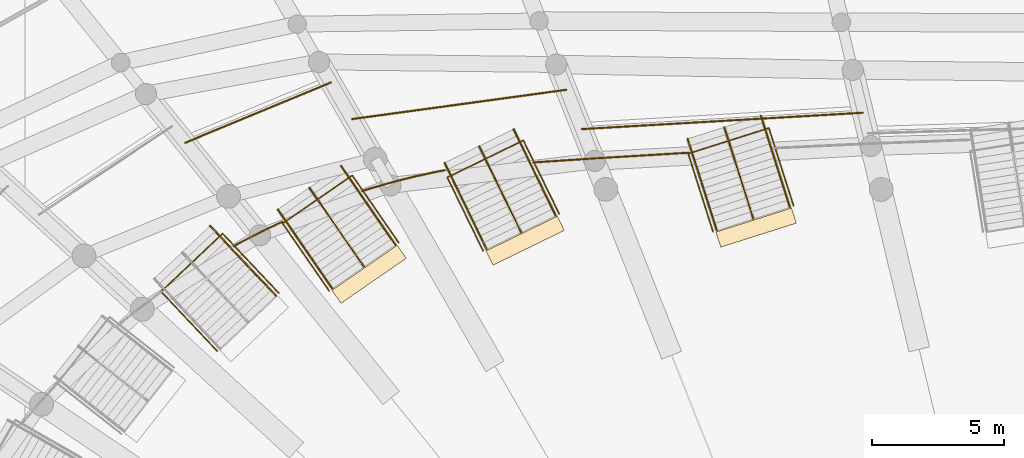
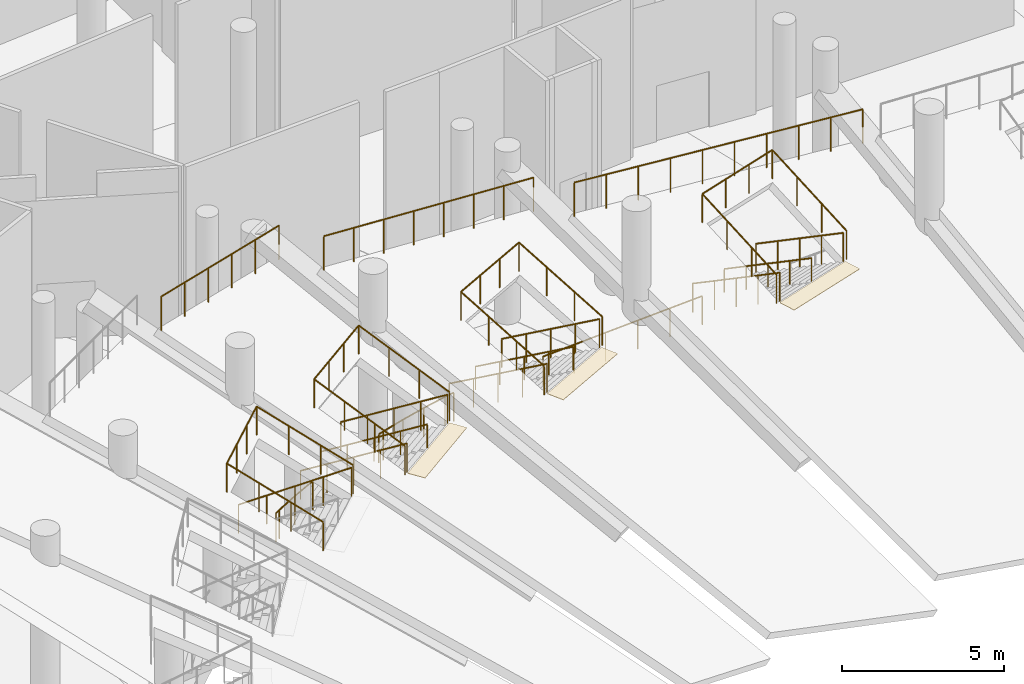
# One storey, part 230 of 255: 20 railings, 3 coverings.
"""IFC4 building model written with IfcOpenShell, lengths in metres."""

from ifc_helpers import new_model, si_unit, direction, frame, origin, origin_2d, place, context, subcontext, project, spatial, rectangle, circle, extrude, material, layer, layer_set, type_object, element, save


model = new_model("IFC4")

# Units and contexts
model_context = context("Model", 3, precision=1e-05, world=origin(), true_north=direction((0.0, 1.0)))
body_context = subcontext(model_context, "Body", "Model", "MODEL_VIEW")
ifc_project = project(units=[si_unit("LENGTHUNIT", "METRE"), si_unit("AREAUNIT", "SQUARE_METRE"), si_unit("VOLUMEUNIT", "CUBIC_METRE"), si_unit("PLANEANGLEUNIT", "RADIAN"), si_unit("MASSUNIT", "GRAM", prefix="KILO")], contexts=[model_context])

# Site, building, storey
site_placement = place(None, origin())
site = spatial("IfcSite", under=ifc_project, at=site_placement, CompositionType="ELEMENT")
building_placement = place(site_placement, origin())
building = spatial("IfcBuilding", under=site, at=building_placement, Name="Meseta Stadium", CompositionType="ELEMENT")
storey_placement = place(building_placement, origin())
storey = spatial("IfcBuildingStorey", under=building, at=storey_placement, Name="L00", CompositionType="ELEMENT", Elevation=0.0)

# Railings
ifc_material_1 = material(Name="Steel S355", Category="steel")
railing_type_1 = type_object("IfcRailingType", Name="Plate edge guard 1100", PredefinedType="GUARDRAIL", material=ifc_material_1)
railing_1_placement = place(storey_placement, frame((-22.89892578125, 72.3994140625, 0.0)))
element("IfcRailing", 1, at=railing_1_placement, inside=storey, type_object=railing_type_1, Name="L00 inner edge guard 22", PredefinedType="GUARDRAIL", context=body_context, shape_type="SweptSolid", body=[
    extrude(circle(Radius=0.02490234375, at=origin_2d()), frame((0.0, 0.0, 1.0751953125), z_axis=(-0.998168496631, -0.060495060402, 0.0), x_axis=(0.060495060402, -0.998168496631, 0.0)), (0.0, 0.0, 1.0), 3.57568359375),
    extrude(circle(Radius=0.02490234375, at=origin_2d()), frame((-3.569091796875, -0.21630859375, 1.0751953125), z_axis=(-0.99784849256, -0.065562076657, 0.0), x_axis=(0.065562076657, -0.99784849256, 0.0)), (0.0, 0.0, 1.0), 2.31982421875),
    extrude(circle(Radius=0.02001953125, at=origin_2d()), origin(), (0.0, 0.0, 1.0), 1.050048828125),
    extrude(circle(Radius=0.02001953125, at=origin_2d()), frame((-1.189697265625, -0.072021484375, 0.0)), (0.0, 0.0, 1.0), 1.050048828125),
    extrude(circle(Radius=0.02001953125, at=origin_2d()), frame((-2.37939453125, -0.144287109375, 0.0)), (0.0, 0.0, 1.0), 1.050048828125),
    extrude(circle(Radius=0.02001953125, at=origin_2d()), frame((-3.569091796875, -0.21630859375, 0.0)), (0.0, 0.0, 1.0), 1.050048828125),
    extrude(circle(Radius=0.02001953125, at=origin_2d()), frame((-4.7265625, -0.29248046875, 0.0)), (0.0, 0.0, 1.0), 1.050048828125),
    extrude(circle(Radius=0.02001953125, at=origin_2d()), frame((-5.884033203125, -0.368408203125, 0.0)), (0.0, 0.0, 1.0), 1.050048828125),
])
railing_2_placement = place(storey_placement, frame((-32.13232421875, 71.73681640625, 0.0)))
element("IfcRailing", 2, at=railing_2_placement, inside=storey, type_object=railing_type_1, Name="L00 inner edge guard 23", PredefinedType="GUARDRAIL", context=body_context, shape_type="SweptSolid", body=[
    extrude(circle(Radius=0.02490234375, at=origin_2d()), frame((0.0, 0.0, 1.0751953125), z_axis=(-0.982708770154, -0.185157967859, 0.0), x_axis=(0.185157967859, -0.982708770154, 0.0)), (0.0, 0.0, 1.0), 0.35595703125),
    extrude(circle(Radius=0.02490234375, at=origin_2d()), frame((-0.349853515625, -0.06591796875, 1.0751953125), z_axis=(-0.976225779897, -0.216756145621, 0.0), x_axis=(0.216756145621, -0.976225779897, 0.0)), (0.0, 0.0, 1.0), 0.889892578125),
    extrude(circle(Radius=0.02490234375, at=origin_2d()), frame((-1.218505859375, -0.2587890625, 1.0751953125), z_axis=(-0.968604525516, -0.248606663526, 0.0), x_axis=(0.248606663526, -0.968604525516, 0.0)), (0.0, 0.0, 1.0), 0.888671875),
    extrude(circle(Radius=0.02490234375, at=origin_2d()), frame((-2.079345703125, -0.479736328125, 1.0751953125), z_axis=(-0.960046214421, -0.279841501882, 0.0), x_axis=(0.279841501882, -0.960046214421, 0.0)), (0.0, 0.0, 1.0), 0.88720703125),
    extrude(circle(Radius=0.02490234375, at=origin_2d()), frame((-2.93115234375, -0.72802734375, 1.0751953125), z_axis=(-0.950488430053, -0.31075994648, 0.0), x_axis=(0.31075994648, -0.950488430053, 0.0)), (0.0, 0.0, 1.0), 0.201171875),
    extrude(circle(Radius=0.02001953125, at=origin_2d()), origin(), (0.0, 0.0, 1.0), 1.050048828125),
    extrude(circle(Radius=0.02001953125, at=origin_2d()), frame((-0.349853515625, -0.06591796875, 0.0)), (0.0, 0.0, 1.0), 1.050048828125),
    extrude(circle(Radius=0.02001953125, at=origin_2d()), frame((-1.218505859375, -0.2587890625, 0.0)), (0.0, 0.0, 1.0), 1.050048828125),
    extrude(circle(Radius=0.02001953125, at=origin_2d()), frame((-2.079345703125, -0.479736328125, 0.0)), (0.0, 0.0, 1.0), 1.050048828125),
    extrude(circle(Radius=0.02001953125, at=origin_2d()), frame((-2.93115234375, -0.72802734375, 0.0)), (0.0, 0.0, 1.0), 1.050048828125),
    extrude(circle(Radius=0.02001953125, at=origin_2d()), frame((-3.122314453125, -0.79052734375, 0.0)), (0.0, 0.0, 1.0), 1.050048828125),
])
railing_3_placement = place(storey_placement, frame((-38.2705078125, 69.7880859375, 0.0)))
element("IfcRailing", 3, at=railing_3_placement, inside=storey, type_object=railing_type_1, Name="L00 inner edge guard 24", PredefinedType="GUARDRAIL", context=body_context, shape_type="SweptSolid", body=[
    extrude(circle(Radius=0.02490234375, at=origin_2d()), frame((0.0, 0.0, 1.0751953125), z_axis=(-0.90338039609, -0.428840133337, 0.0), x_axis=(0.428840133337, -0.90338039609, 0.0)), (0.0, 0.0, 1.0), 0.98828125),
    extrude(circle(Radius=0.02490234375, at=origin_2d()), frame((-0.892822265625, -0.423828125, 1.0751953125), z_axis=(-0.887171475651, -0.461439890768, 0.0), x_axis=(0.461439890768, -0.887171475651, 0.0)), (0.0, 0.0, 1.0), 0.882080078125),
    extrude(circle(Radius=0.02490234375, at=origin_2d()), frame((-1.67529296875, -0.830810546875, 1.0751953125), z_axis=(-0.872066441359, -0.489387496628, 0.0), x_axis=(0.489387496628, -0.872066441359, 0.0)), (0.0, 0.0, 1.0), 0.198974609375),
    extrude(circle(Radius=0.02001953125, at=origin_2d()), origin(), (0.0, 0.0, 1.0), 1.050048828125),
    extrude(circle(Radius=0.02001953125, at=origin_2d()), frame((-0.892822265625, -0.423828125, 0.0)), (0.0, 0.0, 1.0), 1.050048828125),
    extrude(circle(Radius=0.02001953125, at=origin_2d()), frame((-1.67529296875, -0.830810546875, 0.0)), (0.0, 0.0, 1.0), 1.050048828125),
    extrude(circle(Radius=0.02001953125, at=origin_2d()), frame((-1.848876953125, -0.92822265625, 0.0)), (0.0, 0.0, 1.0), 1.050048828125),
])
ifc_material_2 = material(Name="Steel S355", Category="steel")
railing_type_2 = type_object("IfcRailingType", Name="Stand rear guard 1300", PredefinedType="GUARDRAIL", material=ifc_material_2)
railing_4_placement = place(storey_placement, frame((-16.312255859375, 73.9111328125, 3.6044921875)))
element("IfcRailing", 4, at=railing_4_placement, inside=storey, type_object=railing_type_2, Name="Stand lower tier rear guard bay 21", PredefinedType="GUARDRAIL", context=body_context, shape_type="SweptSolid", body=[
    extrude(circle(Radius=0.02490234375, at=origin_2d()), frame((0.0, 0.0, 1.27490234375), z_axis=(-0.990502676823, -0.05772016931, 0.124791142557), x_axis=(0.058174920753, -0.998306405166, 0.0)), (0.0, 0.0, 1.0), 10.730712890625),
    extrude(circle(Radius=0.02001953125, at=origin_2d()), origin(), (0.0, 0.0, 1.0), 1.25),
    extrude(circle(Radius=0.02001953125, at=origin_2d()), frame((-1.180908203125, -0.06884765625, 0.148681640625)), (0.0, 0.0, 1.0), 1.25),
    extrude(circle(Radius=0.02001953125, at=origin_2d()), frame((-2.362060546875, -0.1376953125, 0.297607421875)), (0.0, 0.0, 1.0), 1.25),
    extrude(circle(Radius=0.02001953125, at=origin_2d()), frame((-3.54296875, -0.20654296875, 0.4462890625)), (0.0, 0.0, 1.0), 1.25),
    extrude(circle(Radius=0.02001953125, at=origin_2d()), frame((-4.723876953125, -0.275390625, 0.59521484375)), (0.0, 0.0, 1.0), 1.25),
    extrude(circle(Radius=0.02001953125, at=origin_2d()), frame((-5.905029296875, -0.343994140625, 0.743896484375)), (0.0, 0.0, 1.0), 1.25),
    extrude(circle(Radius=0.02001953125, at=origin_2d()), frame((-7.0859375, -0.412841796875, 0.892822265625)), (0.0, 0.0, 1.0), 1.25),
    extrude(circle(Radius=0.02001953125, at=origin_2d()), frame((-8.266845703125, -0.481689453125, 1.04150390625)), (0.0, 0.0, 1.0), 1.25),
    extrude(circle(Radius=0.02001953125, at=origin_2d()), frame((-9.447998046875, -0.550537109375, 1.1904296875)), (0.0, 0.0, 1.0), 1.25),
    extrude(circle(Radius=0.02001953125, at=origin_2d()), frame((-10.62890625, -0.619384765625, 1.339111328125)), (0.0, 0.0, 1.0), 1.25),
])
railing_5_placement = place(storey_placement, frame((-27.53125, 74.77880859375, 4.43603515625)))
element("IfcRailing", 5, at=railing_5_placement, inside=storey, type_object=railing_type_2, Name="Stand lower tier rear guard bay 22", PredefinedType="GUARDRAIL", context=body_context, shape_type="SweptSolid", body=[
    extrude(circle(Radius=0.02490234375, at=origin_2d()), frame((0.0, 0.0, 1.27490234375), z_axis=(-0.978469998435, -0.133688963912, 0.157237791549), x_axis=(0.135372898361, -0.99079472061, 0.0)), (0.0, 0.0, 1.0), 8.28369140625),
    extrude(circle(Radius=0.02001953125, at=origin_2d()), origin(), (0.0, 0.0, 1.0), 1.25),
    extrude(circle(Radius=0.02001953125, at=origin_2d()), frame((-1.157958984375, -0.158203125, 0.18603515625)), (0.0, 0.0, 1.0), 1.25),
    extrude(circle(Radius=0.02001953125, at=origin_2d()), frame((-2.315673828125, -0.31640625, 0.3720703125)), (0.0, 0.0, 1.0), 1.25),
    extrude(circle(Radius=0.02001953125, at=origin_2d()), frame((-3.4736328125, -0.474609375, 0.55810546875)), (0.0, 0.0, 1.0), 1.25),
    extrude(circle(Radius=0.02001953125, at=origin_2d()), frame((-4.631591796875, -0.6328125, 0.744384765625)), (0.0, 0.0, 1.0), 1.25),
    extrude(circle(Radius=0.02001953125, at=origin_2d()), frame((-5.78955078125, -0.791015625, 0.930419921875)), (0.0, 0.0, 1.0), 1.25),
    extrude(circle(Radius=0.02001953125, at=origin_2d()), frame((-6.947265625, -0.94921875, 1.116455078125)), (0.0, 0.0, 1.0), 1.25),
    extrude(circle(Radius=0.02001953125, at=origin_2d()), frame((-8.105224609375, -1.107421875, 1.302490234375)), (0.0, 0.0, 1.0), 1.25),
])
railing_6_placement = place(storey_placement, frame((-36.437255859375, 75.056640625, 5.5791015625)))
element("IfcRailing", 6, at=railing_6_placement, inside=storey, type_object=railing_type_2, Name="Stand lower tier rear guard bay 23", PredefinedType="GUARDRAIL", context=body_context, shape_type="SweptSolid", body=[
    extrude(circle(Radius=0.02490234375, at=origin_2d()), frame((0.0, 0.0, 1.27490234375), z_axis=(-0.918705190478, -0.380326600198, 0.106453981467), x_axis=(0.382500107236, -0.923955446958, 0.0)), (0.0, 0.0, 1.0), 5.994873046875),
    extrude(circle(Radius=0.02001953125, at=origin_2d()), origin(), (0.0, 0.0, 1.0), 1.25),
    extrude(circle(Radius=0.02001953125, at=origin_2d()), frame((-1.1015625, -0.4560546875, 0.127685546875)), (0.0, 0.0, 1.0), 1.25),
    extrude(circle(Radius=0.02001953125, at=origin_2d()), frame((-2.203125, -0.912109375, 0.25537109375)), (0.0, 0.0, 1.0), 1.25),
    extrude(circle(Radius=0.02001953125, at=origin_2d()), frame((-3.304443359375, -1.367919921875, 0.3828125)), (0.0, 0.0, 1.0), 1.25),
    extrude(circle(Radius=0.02001953125, at=origin_2d()), frame((-4.406005859375, -1.823974609375, 0.510498046875)), (0.0, 0.0, 1.0), 1.25),
    extrude(circle(Radius=0.02001953125, at=origin_2d()), frame((-5.507568359375, -2.280029296875, 0.63818359375)), (0.0, 0.0, 1.0), 1.25),
])

# Coverings
ifc_material_3 = material(Name="Stone paving", Category="masonry")
ifc_layer = layer(ifc_material_3, 0.02001953125)
ifc_layer_set = layer_set([ifc_layer], Name="Vomitory exit threshold plate 20")
covering_type = type_object("IfcCoveringType", Name="Vomitory exit threshold plate 20", PredefinedType="FLOORING", material=ifc_layer_set)
for number, where, z_axis, x_axis, name in (
    (7, (-20.3525390625, 69.566650390625, 2.270263671875), (0.0, 0.0, 1.0), (0.302579501013, -0.953124150133, 0.0), "Vomitory V-lower-21 exit threshold"),
    (8, (-29.08740234375, 69.0712890625, 2.32080078125), (0.0, 0.0, 1.0), (0.437966379942, -0.898991351483, 0.0), "Vomitory V-lower-22 exit threshold"),
    (9, (-34.9912109375, 67.7998046875, 2.26806640625), (0.0, 0.0, 1.0), (0.567899772853, -0.82309771473, 0.0), "Vomitory V-lower-23 exit threshold"),
):
    element("IfcCovering", number, at=place(storey_placement, frame(where, z_axis=z_axis, x_axis=x_axis)), inside=storey, type_object=covering_type, Name=name, PredefinedType="FLOORING", context=body_context, shape_type="SweptSolid", body=[
        extrude(rectangle(XDim=0.60009765625, YDim=3.0, at=origin_2d()), origin(), (0.0, 0.0, 1.0), 0.02001953125),
    ])

# Railings
ifc_material_4 = material(Name="Steel S355", Category="steel")
railing_type_3 = type_object("IfcRailingType", Name="Vomitory slot guard 1100", PredefinedType="GUARDRAIL", material=ifc_material_4)
railing_7_placement = place(storey_placement, frame((-21.980712890625, 69.40771484375, 2.290283203125)))
element("IfcRailing", 10, at=railing_7_placement, inside=storey, type_object=railing_type_3, Name="Vomitory V-lower-21 slot guard", PredefinedType="GUARDRAIL", context=body_context, shape_type="SweptSolid", body=[
    extrude(circle(Radius=0.02490234375, at=origin_2d()), frame((0.0, 0.0, 1.0751953125), z_axis=(-0.269543229433, 0.84911028262, 0.454266634716), x_axis=(-0.953129314029, -0.302563234281, 0.0)), (0.0, 0.0, 1.0), 3.47998046875),
    extrude(circle(Radius=0.02490234375, at=origin_2d()), frame((-0.93798828125, 2.954833984375, 2.65576171875), z_axis=(0.953117980059, 0.302598936032, 0.0), x_axis=(-0.302598936032, 0.953117980059, 0.0)), (0.0, 0.0, 1.0), 3.19970703125),
    extrude(circle(Radius=0.02490234375, at=origin_2d()), frame((2.11181640625, 3.923095703125, 2.65576171875), z_axis=(0.269559287174, -0.849090706242, -0.454293697151), x_axis=(0.95312210395, 0.302585946404, 0.0)), (0.0, 0.0, 1.0), 3.479736328125),
    extrude(circle(Radius=0.02001953125, at=origin_2d()), origin(), (0.0, 0.0, 1.0), 1.050048828125),
    extrude(circle(Radius=0.02001953125, at=origin_2d()), frame((-0.312744140625, 0.98486328125, 0.52685546875)), (0.0, 0.0, 1.0), 1.050048828125),
    extrude(circle(Radius=0.02001953125, at=origin_2d()), frame((-0.625244140625, 1.969970703125, 1.053955078125)), (0.0, 0.0, 1.0), 1.050048828125),
    extrude(circle(Radius=0.02001953125, at=origin_2d()), frame((-0.93798828125, 2.954833984375, 1.580810546875)), (0.0, 0.0, 1.0), 1.050048828125),
    extrude(circle(Radius=0.02001953125, at=origin_2d()), frame((0.07861328125, 3.277587890625, 1.580810546875)), (0.0, 0.0, 1.0), 1.050048828125),
    extrude(circle(Radius=0.02001953125, at=origin_2d()), frame((1.09521484375, 3.600341796875, 1.580810546875)), (0.0, 0.0, 1.0), 1.050048828125),
    extrude(circle(Radius=0.02001953125, at=origin_2d()), frame((2.11181640625, 3.923095703125, 1.580810546875)), (0.0, 0.0, 1.0), 1.050048828125),
    extrude(circle(Radius=0.02001953125, at=origin_2d()), frame((2.424560546875, 2.938232421875, 1.053955078125)), (0.0, 0.0, 1.0), 1.050048828125),
    extrude(circle(Radius=0.02001953125, at=origin_2d()), frame((2.737060546875, 1.953369140625, 0.52685546875)), (0.0, 0.0, 1.0), 1.050048828125),
    extrude(circle(Radius=0.02001953125, at=origin_2d()), frame((3.0498046875, 0.968505859375, 0.0)), (0.0, 0.0, 1.0), 1.050048828125),
])
railing_8_placement = place(storey_placement, frame((-30.67529296875, 68.67724609375, 2.3408203125)))
element("IfcRailing", 11, at=railing_8_placement, inside=storey, type_object=railing_type_3, Name="Vomitory V-lower-22 slot guard", PredefinedType="GUARDRAIL", context=body_context, shape_type="SweptSolid", body=[
    extrude(circle(Radius=0.02490234375, at=origin_2d()), frame((0.0, 0.0, 1.0751953125), z_axis=(-0.390159093571, 0.800875032028, 0.454285224037), x_axis=(-0.898994639312, -0.437959631118, 0.0)), (0.0, 0.0, 1.0), 3.479736328125),
    extrude(circle(Radius=0.02490234375, at=origin_2d()), frame((-1.357666015625, 2.786865234375, 2.65576171875), z_axis=(0.899017594614, 0.437912507899, 0.0), x_axis=(-0.437912507899, 0.899017594614, 0.0)), (0.0, 0.0, 1.0), 3.2001953125),
    extrude(circle(Radius=0.02490234375, at=origin_2d()), frame((1.519287109375, 4.188232421875, 2.65576171875), z_axis=(0.390159093571, -0.800875032028, -0.454285224037), x_axis=(0.898994639312, 0.437959631118, 0.0)), (0.0, 0.0, 1.0), 3.479736328125),
    extrude(circle(Radius=0.02001953125, at=origin_2d()), origin(), (0.0, 0.0, 1.0), 1.050048828125),
    extrude(circle(Radius=0.02001953125, at=origin_2d()), frame((-0.45263671875, 0.928955078125, 0.52685546875)), (0.0, 0.0, 1.0), 1.050048828125),
    extrude(circle(Radius=0.02001953125, at=origin_2d()), frame((-0.905029296875, 1.85791015625, 1.053955078125)), (0.0, 0.0, 1.0), 1.050048828125),
    extrude(circle(Radius=0.02001953125, at=origin_2d()), frame((-1.357666015625, 2.786865234375, 1.580810546875)), (0.0, 0.0, 1.0), 1.050048828125),
    extrude(circle(Radius=0.02001953125, at=origin_2d()), frame((-0.398681640625, 3.25390625, 1.580810546875)), (0.0, 0.0, 1.0), 1.050048828125),
    extrude(circle(Radius=0.02001953125, at=origin_2d()), frame((0.560302734375, 3.72119140625, 1.580810546875)), (0.0, 0.0, 1.0), 1.050048828125),
    extrude(circle(Radius=0.02001953125, at=origin_2d()), frame((1.519287109375, 4.188232421875, 1.580810546875)), (0.0, 0.0, 1.0), 1.050048828125),
    extrude(circle(Radius=0.02001953125, at=origin_2d()), frame((1.971923828125, 3.25927734375, 1.053955078125)), (0.0, 0.0, 1.0), 1.050048828125),
    extrude(circle(Radius=0.02001953125, at=origin_2d()), frame((2.42431640625, 2.330322265625, 0.52685546875)), (0.0, 0.0, 1.0), 1.050048828125),
    extrude(circle(Radius=0.02001953125, at=origin_2d()), frame((2.876953125, 1.4013671875, 0.0)), (0.0, 0.0, 1.0), 1.050048828125),
])
railing_9_placement = place(storey_placement, frame((-36.501708984375, 67.171875, 2.2880859375)))
element("IfcRailing", 12, at=railing_9_placement, inside=storey, type_object=railing_type_3, Name="Vomitory V-lower-23 slot guard", PredefinedType="GUARDRAIL", context=body_context, shape_type="SweptSolid", body=[
    extrude(circle(Radius=0.02490234375, at=origin_2d()), frame((0.0, 0.0, 1.0751953125), z_axis=(-0.505913025585, 0.733226602466, 0.454346519718), x_axis=(-0.823087110293, -0.567915142314, 0.0)), (0.0, 0.0, 1.0), 3.479736328125),
    extrude(circle(Radius=0.02490234375, at=origin_2d()), frame((-1.760498046875, 2.551513671875, 2.65625), z_axis=(0.823070129535, 0.56793975197, 0.0), x_axis=(-0.56793975197, 0.823070129535, 0.0)), (0.0, 0.0, 1.0), 3.199951171875),
    extrude(circle(Radius=0.02490234375, at=origin_2d()), frame((0.873291015625, 4.368896484375, 2.65625), z_axis=(0.505913025585, -0.733226602466, -0.454346519718), x_axis=(0.823087110293, 0.567915142314, 0.0)), (0.0, 0.0, 1.0), 3.479736328125),
    extrude(circle(Radius=0.02001953125, at=origin_2d()), origin(), (0.0, 0.0, 1.0), 1.050048828125),
    extrude(circle(Radius=0.02001953125, at=origin_2d()), frame((-0.5869140625, 0.8505859375, 0.527099609375)), (0.0, 0.0, 1.0), 1.050048828125),
    extrude(circle(Radius=0.02001953125, at=origin_2d()), frame((-1.173583984375, 1.700927734375, 1.053955078125)), (0.0, 0.0, 1.0), 1.050048828125),
    extrude(circle(Radius=0.02001953125, at=origin_2d()), frame((-1.760498046875, 2.551513671875, 1.5810546875)), (0.0, 0.0, 1.0), 1.050048828125),
    extrude(circle(Radius=0.02001953125, at=origin_2d()), frame((-0.882568359375, 3.1572265625, 1.5810546875)), (0.0, 0.0, 1.0), 1.050048828125),
    extrude(circle(Radius=0.02001953125, at=origin_2d()), frame((-0.004638671875, 3.76318359375, 1.5810546875)), (0.0, 0.0, 1.0), 1.050048828125),
    extrude(circle(Radius=0.02001953125, at=origin_2d()), frame((0.873291015625, 4.368896484375, 1.5810546875)), (0.0, 0.0, 1.0), 1.050048828125),
    extrude(circle(Radius=0.02001953125, at=origin_2d()), frame((1.460205078125, 3.518310546875, 1.053955078125)), (0.0, 0.0, 1.0), 1.050048828125),
    extrude(circle(Radius=0.02001953125, at=origin_2d()), frame((2.046875, 2.66796875, 0.527099609375)), (0.0, 0.0, 1.0), 1.050048828125),
    extrude(circle(Radius=0.02001953125, at=origin_2d()), frame((2.6337890625, 1.8173828125, 0.0)), (0.0, 0.0, 1.0), 1.050048828125),
])
railing_10_placement = place(storey_placement, frame((-40.732666015625, 64.8896484375, 2.2890625)))
element("IfcRailing", 13, at=railing_10_placement, inside=storey, type_object=railing_type_3, Name="Vomitory V-lower-24 slot guard", PredefinedType="GUARDRAIL", context=body_context, shape_type="SweptSolid", body=[
    extrude(circle(Radius=0.02490234375, at=origin_2d()), frame((0.0, 0.0, 1.0751953125), z_axis=(-0.611194378276, 0.648096150885, 0.454326766955), x_axis=(-0.727515277966, -0.686091481018, 0.0)), (0.0, 0.0, 1.0), 3.47998046875),
    extrude(circle(Radius=0.02490234375, at=origin_2d()), frame((-2.126953125, 2.25537109375, 2.65625), z_axis=(0.727554587562, 0.686049795654, 0.0), x_axis=(-0.686049795654, 0.727554587562, 0.0)), (0.0, 0.0, 1.0), 3.199951171875),
    extrude(circle(Radius=0.02490234375, at=origin_2d()), frame((0.201171875, 4.45068359375, 2.65625), z_axis=(0.611194378276, -0.648096150885, -0.454326766955), x_axis=(0.727515277966, 0.686091481018, 0.0)), (0.0, 0.0, 1.0), 3.47998046875),
    extrude(circle(Radius=0.02001953125, at=origin_2d()), origin(), (0.0, 0.0, 1.0), 1.050048828125),
    extrude(circle(Radius=0.02001953125, at=origin_2d()), frame((-0.708984375, 0.751708984375, 0.527099609375)), (0.0, 0.0, 1.0), 1.050048828125),
    extrude(circle(Radius=0.02001953125, at=origin_2d()), frame((-1.41796875, 1.503662109375, 1.053955078125)), (0.0, 0.0, 1.0), 1.050048828125),
    extrude(circle(Radius=0.02001953125, at=origin_2d()), frame((-2.126953125, 2.25537109375, 1.5810546875)), (0.0, 0.0, 1.0), 1.050048828125),
    extrude(circle(Radius=0.02001953125, at=origin_2d()), frame((-1.350830078125, 2.987060546875, 1.5810546875)), (0.0, 0.0, 1.0), 1.050048828125),
    extrude(circle(Radius=0.02001953125, at=origin_2d()), frame((-0.574951171875, 3.718994140625, 1.5810546875)), (0.0, 0.0, 1.0), 1.050048828125),
    extrude(circle(Radius=0.02001953125, at=origin_2d()), frame((0.201171875, 4.45068359375, 1.5810546875)), (0.0, 0.0, 1.0), 1.050048828125),
    extrude(circle(Radius=0.02001953125, at=origin_2d()), frame((0.91015625, 3.698974609375, 1.053955078125)), (0.0, 0.0, 1.0), 1.050048828125),
    extrude(circle(Radius=0.02001953125, at=origin_2d()), frame((1.619140625, 2.947021484375, 0.527099609375)), (0.0, 0.0, 1.0), 1.050048828125),
    extrude(circle(Radius=0.02001953125, at=origin_2d()), frame((2.328125, 2.1953125, 0.0)), (0.0, 0.0, 1.0), 1.050048828125),
])
ifc_material_5 = material(Name="Steel S355", Category="steel")
railing_type_4 = type_object("IfcRailingType", Name="Vomitory stair guard 1100", PredefinedType="GUARDRAIL", material=ifc_material_5)
railing_11_placement = place(storey_placement, frame((-20.175048828125, 73.800048828125, 0.16357421875)))
element("IfcRailing", 14, at=railing_11_placement, inside=storey, type_object=railing_type_4, Name="Vomitory V-lower-21 guard left", PredefinedType="GUARDRAIL", context=body_context, shape_type="SweptSolid", body=[
    extrude(circle(Radius=0.02490234375, at=origin_2d()), frame((0.0, 0.0, 1.0751953125), z_axis=(0.261247393792, -0.822949560139, 0.504483716986), x_axis=(0.953126416447, 0.30257236204, 0.0)), (0.0, 0.0, 1.0), 4.215576171875),
    extrude(circle(Radius=0.02001953125, at=origin_2d()), origin(), (0.0, 0.0, 1.0), 1.050048828125),
    extrude(circle(Radius=0.02001953125, at=origin_2d()), frame((0.275390625, -0.8671875, 0.53173828125)), (0.0, 0.0, 1.0), 1.050048828125),
    extrude(circle(Radius=0.02001953125, at=origin_2d()), frame((0.55078125, -1.734619140625, 1.0634765625)), (0.0, 0.0, 1.0), 1.050048828125),
    extrude(circle(Radius=0.02001953125, at=origin_2d()), frame((0.825927734375, -2.60205078125, 1.594970703125)), (0.0, 0.0, 1.0), 1.050048828125),
    extrude(circle(Radius=0.02001953125, at=origin_2d()), frame((1.101318359375, -3.46923828125, 2.126708984375)), (0.0, 0.0, 1.0), 1.050048828125),
])
railing_12_placement = place(storey_placement, frame((-22.939208984375, 72.922607421875, 0.16357421875)))
element("IfcRailing", 15, at=railing_12_placement, inside=storey, type_object=railing_type_4, Name="Vomitory V-lower-21 guard right", PredefinedType="GUARDRAIL", context=body_context, shape_type="SweptSolid", body=[
    extrude(circle(Radius=0.02490234375, at=origin_2d()), frame((0.0, 0.0, 1.0751953125), z_axis=(0.261234943242, -0.822968250589, 0.504459674258), x_axis=(0.953132556517, 0.302553019664, 0.0)), (0.0, 0.0, 1.0), 4.2158203125),
    extrude(circle(Radius=0.02001953125, at=origin_2d()), origin(), (0.0, 0.0, 1.0), 1.050048828125),
    extrude(circle(Radius=0.02001953125, at=origin_2d()), frame((0.275390625, -0.867431640625, 0.53173828125)), (0.0, 0.0, 1.0), 1.050048828125),
    extrude(circle(Radius=0.02001953125, at=origin_2d()), frame((0.55078125, -1.73486328125, 1.0634765625)), (0.0, 0.0, 1.0), 1.050048828125),
    extrude(circle(Radius=0.02001953125, at=origin_2d()), frame((0.825927734375, -2.60205078125, 1.594970703125)), (0.0, 0.0, 1.0), 1.050048828125),
    extrude(circle(Radius=0.02001953125, at=origin_2d()), frame((1.101318359375, -3.469482421875, 2.126708984375)), (0.0, 0.0, 1.0), 1.050048828125),
])
railing_13_placement = place(storey_placement, frame((-29.527587890625, 73.285400390625, 0.167236328125)))
element("IfcRailing", 16, at=railing_13_placement, inside=storey, type_object=railing_type_4, Name="Vomitory V-lower-22 guard left", PredefinedType="GUARDRAIL", context=body_context, shape_type="SweptSolid", body=[
    extrude(circle(Radius=0.02490234375, at=origin_2d()), frame((0.0, 0.0, 1.0751953125), z_axis=(0.37602612148, -0.771861276005, 0.512673898857), x_axis=(0.898993931431, 0.437961084172, 0.0)), (0.0, 0.0, 1.0), 4.23974609375),
    extrude(circle(Radius=0.02001953125, at=origin_2d()), origin(), (0.0, 0.0, 1.0), 1.050048828125),
    extrude(circle(Radius=0.02001953125, at=origin_2d()), frame((0.3984375, -0.818115234375, 0.54345703125)), (0.0, 0.0, 1.0), 1.050048828125),
    extrude(circle(Radius=0.02001953125, at=origin_2d()), frame((0.797119140625, -1.63623046875, 1.0869140625)), (0.0, 0.0, 1.0), 1.050048828125),
    extrude(circle(Radius=0.02001953125, at=origin_2d()), frame((1.19580078125, -2.454345703125, 1.630126953125)), (0.0, 0.0, 1.0), 1.050048828125),
    extrude(circle(Radius=0.02001953125, at=origin_2d()), frame((1.59423828125, -3.2724609375, 2.173583984375)), (0.0, 0.0, 1.0), 1.050048828125),
])
railing_14_placement = place(storey_placement, frame((-32.134521484375, 72.01513671875, 0.167236328125)))
element("IfcRailing", 17, at=railing_14_placement, inside=storey, type_object=railing_type_4, Name="Vomitory V-lower-22 guard right", PredefinedType="GUARDRAIL", context=body_context, shape_type="SweptSolid", body=[
    extrude(circle(Radius=0.02490234375, at=origin_2d()), frame((0.0, 0.0, 1.0751953125), z_axis=(0.376042835266, -0.771837997102, 0.512696686428), x_axis=(0.898981065754, 0.437987492306, 0.0)), (0.0, 0.0, 1.0), 4.239501953125),
    extrude(circle(Radius=0.02001953125, at=origin_2d()), origin(), (0.0, 0.0, 1.0), 1.050048828125),
    extrude(circle(Radius=0.02001953125, at=origin_2d()), frame((0.3984375, -0.818115234375, 0.54345703125)), (0.0, 0.0, 1.0), 1.050048828125),
    extrude(circle(Radius=0.02001953125, at=origin_2d()), frame((0.797119140625, -1.63623046875, 1.0869140625)), (0.0, 0.0, 1.0), 1.050048828125),
    extrude(circle(Radius=0.02001953125, at=origin_2d()), frame((1.19580078125, -2.4541015625, 1.630126953125)), (0.0, 0.0, 1.0), 1.050048828125),
    extrude(circle(Radius=0.02001953125, at=origin_2d()), frame((1.59423828125, -3.272216796875, 2.173583984375)), (0.0, 0.0, 1.0), 1.050048828125),
])
for number, where, name in (
    (18, (-36.05859375, 71.900146484375, 0.163330078125), "Vomitory V-lower-23 guard left"),
    (19, (-38.445556640625, 70.253173828125, 0.163330078125), "Vomitory V-lower-23 guard right"),
):
    element("IfcRailing", number, at=place(storey_placement, frame(where)), inside=storey, type_object=railing_type_4, Name=name, PredefinedType="GUARDRAIL", context=body_context, shape_type="SweptSolid", body=[
        extrude(circle(Radius=0.02490234375, at=origin_2d()), frame((0.0, 0.0, 1.0751953125), z_axis=(0.490451930686, -0.710856985164, 0.504122257324), x_axis=(0.823101434641, 0.567894381283, 0.0)), (0.0, 0.0, 1.0), 4.21484375),
        extrude(circle(Radius=0.02001953125, at=origin_2d()), origin(), (0.0, 0.0, 1.0), 1.050048828125),
        extrude(circle(Radius=0.02001953125, at=origin_2d()), frame((0.516845703125, -0.7490234375, 0.53125)), (0.0, 0.0, 1.0), 1.050048828125),
        extrude(circle(Radius=0.02001953125, at=origin_2d()), frame((1.03369140625, -1.498046875, 1.0625)), (0.0, 0.0, 1.0), 1.050048828125),
        extrude(circle(Radius=0.02001953125, at=origin_2d()), frame((1.55029296875, -2.2470703125, 1.593505859375)), (0.0, 0.0, 1.0), 1.050048828125),
        extrude(circle(Radius=0.02001953125, at=origin_2d()), frame((2.067138671875, -2.99609375, 2.124755859375)), (0.0, 0.0, 1.0), 1.050048828125),
    ])
railing_15_placement = place(storey_placement, frame((-41.010986328125, 69.63037109375, 0.16357421875)))
element("IfcRailing", 20, at=railing_15_placement, inside=storey, type_object=railing_type_4, Name="Vomitory V-lower-24 guard left", PredefinedType="GUARDRAIL", context=body_context, shape_type="SweptSolid", body=[
    extrude(circle(Radius=0.02490234375, at=origin_2d()), frame((0.0, 0.0, 1.0751953125), z_axis=(0.592466279846, -0.628260996919, 0.504253732754), x_axis=(0.727528186472, 0.686077792885, 0.0)), (0.0, 0.0, 1.0), 4.215087890625),
    extrude(circle(Radius=0.02001953125, at=origin_2d()), origin(), (0.0, 0.0, 1.0), 1.050048828125),
    extrude(circle(Radius=0.02001953125, at=origin_2d()), frame((0.624267578125, -0.662109375, 0.53125)), (0.0, 0.0, 1.0), 1.050048828125),
    extrude(circle(Radius=0.02001953125, at=origin_2d()), frame((1.24853515625, -1.32421875, 1.062744140625)), (0.0, 0.0, 1.0), 1.050048828125),
    extrude(circle(Radius=0.02001953125, at=origin_2d()), frame((1.873046875, -1.986083984375, 1.59423828125)), (0.0, 0.0, 1.0), 1.050048828125),
    extrude(circle(Radius=0.02001953125, at=origin_2d()), frame((2.497314453125, -2.648193359375, 2.12548828125)), (0.0, 0.0, 1.0), 1.050048828125),
])
ifc_material_6 = material(Name="Steel S355", Category="steel")
railing_type_5 = type_object("IfcRailingType", Name="Vomitory stair handrail 900", PredefinedType="HANDRAIL", material=ifc_material_6)
railing_16_placement = place(storey_placement, frame((-21.55712890625, 73.361328125, 0.16357421875)))
element("IfcRailing", 21, at=railing_16_placement, inside=storey, type_object=railing_type_5, Name="Vomitory V-lower-21 central handrail", PredefinedType="HANDRAIL", context=body_context, shape_type="SweptSolid", body=[
    extrude(circle(Radius=0.02490234375, at=origin_2d()), frame((0.0, 0.0, 0.875), z_axis=(0.261234943242, -0.822968250589, 0.504459674258), x_axis=(0.953132556517, 0.302553019664, 0.0)), (0.0, 0.0, 1.0), 4.2158203125),
    extrude(circle(Radius=0.02001953125, at=origin_2d()), origin(), (0.0, 0.0, 1.0), 0.849853515625),
    extrude(circle(Radius=0.02001953125, at=origin_2d()), frame((0.275390625, -0.867431640625, 0.53173828125)), (0.0, 0.0, 1.0), 0.849853515625),
    extrude(circle(Radius=0.02001953125, at=origin_2d()), frame((0.55078125, -1.73486328125, 1.0634765625)), (0.0, 0.0, 1.0), 0.849853515625),
    extrude(circle(Radius=0.02001953125, at=origin_2d()), frame((0.825927734375, -2.60205078125, 1.594970703125)), (0.0, 0.0, 1.0), 0.849853515625),
    extrude(circle(Radius=0.02001953125, at=origin_2d()), frame((1.101318359375, -3.469482421875, 2.126708984375)), (0.0, 0.0, 1.0), 0.849853515625),
])
railing_17_placement = place(storey_placement, frame((-30.8310546875, 72.650390625, 0.167236328125)))
element("IfcRailing", 22, at=railing_17_placement, inside=storey, type_object=railing_type_5, Name="Vomitory V-lower-22 central handrail", PredefinedType="HANDRAIL", context=body_context, shape_type="SweptSolid", body=[
    extrude(circle(Radius=0.02490234375, at=origin_2d()), frame((0.0, 0.0, 0.875), z_axis=(0.37602612148, -0.771861276005, 0.512673898857), x_axis=(0.898993931431, 0.437961084172, 0.0)), (0.0, 0.0, 1.0), 4.23974609375),
    extrude(circle(Radius=0.02001953125, at=origin_2d()), origin(), (0.0, 0.0, 1.0), 0.849853515625),
    extrude(circle(Radius=0.02001953125, at=origin_2d()), frame((0.3984375, -0.818115234375, 0.54345703125)), (0.0, 0.0, 1.0), 0.849853515625),
    extrude(circle(Radius=0.02001953125, at=origin_2d()), frame((0.797119140625, -1.63623046875, 1.0869140625)), (0.0, 0.0, 1.0), 0.849853515625),
    extrude(circle(Radius=0.02001953125, at=origin_2d()), frame((1.19580078125, -2.454345703125, 1.630126953125)), (0.0, 0.0, 1.0), 0.849853515625),
    extrude(circle(Radius=0.02001953125, at=origin_2d()), frame((1.59423828125, -3.2724609375, 2.173583984375)), (0.0, 0.0, 1.0), 0.849853515625),
])
railing_18_placement = place(storey_placement, frame((-37.251953125, 71.07666015625, 0.163330078125)))
element("IfcRailing", 23, at=railing_18_placement, inside=storey, type_object=railing_type_5, Name="Vomitory V-lower-23 central handrail", PredefinedType="HANDRAIL", context=body_context, shape_type="SweptSolid", body=[
    extrude(circle(Radius=0.02490234375, at=origin_2d()), frame((0.0, 0.0, 0.875), z_axis=(0.490451930686, -0.710856985164, 0.504122257324), x_axis=(0.823101434641, 0.567894381283, 0.0)), (0.0, 0.0, 1.0), 4.21484375),
    extrude(circle(Radius=0.02001953125, at=origin_2d()), origin(), (0.0, 0.0, 1.0), 0.849853515625),
    extrude(circle(Radius=0.02001953125, at=origin_2d()), frame((0.516845703125, -0.7490234375, 0.53125)), (0.0, 0.0, 1.0), 0.849853515625),
    extrude(circle(Radius=0.02001953125, at=origin_2d()), frame((1.03369140625, -1.498046875, 1.0625)), (0.0, 0.0, 1.0), 0.849853515625),
    extrude(circle(Radius=0.02001953125, at=origin_2d()), frame((1.55029296875, -2.2470703125, 1.593505859375)), (0.0, 0.0, 1.0), 0.849853515625),
    extrude(circle(Radius=0.02001953125, at=origin_2d()), frame((2.067138671875, -2.99609375, 2.124755859375)), (0.0, 0.0, 1.0), 0.849853515625),
])

save(model, "model.ifc")
